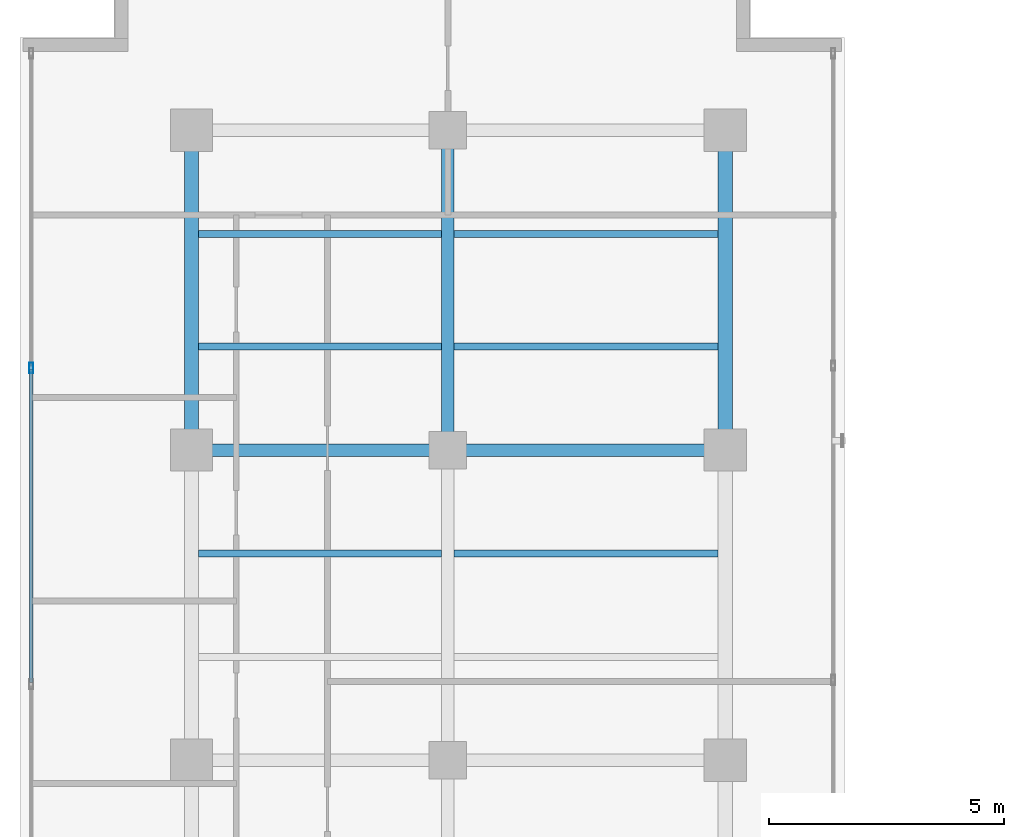
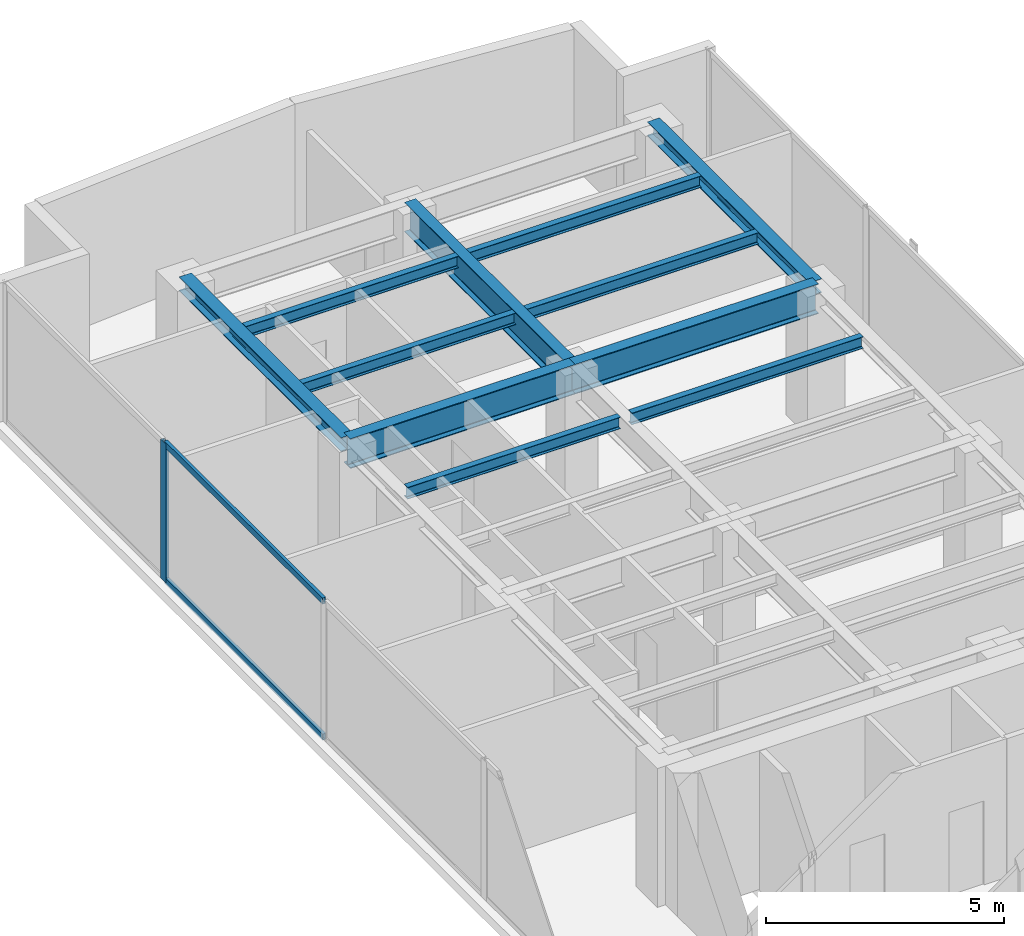
# One storey, part 13 of 24: 11 beams, 3 members, 1 element without a shape of its own.
"""IFC4 building model written with IfcOpenShell, lengths in metres."""

from ifc_helpers import new_model, si_unit, direction, frame, origin, origin_with_axes, origin_2d, place, context, subcontext, project, spatial, hollow_rectangle, i_section, extrude, source, transform, mapped, material, layer, layer_set, material_profile, profile_set, type_object, element, aggregate, save


model = new_model("IFC4")

# Units and contexts
model_context = context("Model", 3, precision=1e-05, world=origin(), true_north=direction((0.0, 1.0)))
body_context = subcontext(model_context, "Body", "Model", "MODEL_VIEW")
ifc_project = project(units=[si_unit("LENGTHUNIT", "METRE"), si_unit("AREAUNIT", "SQUARE_METRE"), si_unit("VOLUMEUNIT", "CUBIC_METRE"), si_unit("PLANEANGLEUNIT", "RADIAN"), si_unit("MASSUNIT", "GRAM", prefix="KILO")], contexts=[model_context])

# Site, building, storey
site_placement = place(None, origin())
site = spatial("IfcSite", under=ifc_project, at=site_placement, CompositionType="ELEMENT")
building_placement = place(site_placement, origin())
building = spatial("IfcBuilding", under=site, at=building_placement, Name="Kolvaren Waterfront Exchange", CompositionType="ELEMENT")
storey_placement = place(building_placement, frame((0.0, 0.0, 285.60009765625)))
storey = spatial("IfcBuildingStorey", under=building, at=storey_placement, Name="L73", CompositionType="ELEMENT", Elevation=285.60009765625)

# Beams
ifc_material_1 = material(Name="Steel S355", Category="steel")
ifc_material_profile_1 = material_profile(ifc_material_1, i_section(OverallWidth=0.300048828125, OverallDepth=0.360107421875, WebThickness=0.012451171875, FlangeThickness=0.0224609375, FilletRadius=0.027099609375, at=origin_2d()), Name="HEB360")
ifc_profile_set_1 = profile_set([ifc_material_profile_1], Name="Steel S355")
beam_type_1 = type_object("IfcBeamType", Name="STR-BM-HEB360", PredefinedType="SPANDREL", material=ifc_profile_set_1)
for number, where, z_axis, x_axis, name in (
    (1, (7.449951171875, 37.800048828125, 3.3798828125), (0.0, 1.0, 0.0), (-1.0, 0.0, 0.0), "L73 north-arm edge beam 3"),
    (2, (18.800048828125, 37.800048828125, 3.3798828125), (0.0, 1.0, 0.0), (-1.0, 0.0, 0.0), "L73 north-arm edge beam 3"),
):
    element("IfcBeam", number, at=place(storey_placement, frame(where, z_axis=z_axis, x_axis=x_axis)), inside=storey, type_object=beam_type_1, Name=name, PredefinedType="SPANDREL", context=body_context, shape_type="SweptSolid", body=[
        extrude(i_section(OverallWidth=0.300048828125, OverallDepth=0.360107421875, WebThickness=0.012451171875, FlangeThickness=0.0224609375, FilletRadius=0.027099609375, at=origin_2d()), origin(), (0.0, 0.0, 1.0), 6.800048828125),
    ])
ifc_material_profile_2 = material_profile(ifc_material_1, i_section(OverallWidth=0.14990234375, OverallDepth=0.300048828125, WebThickness=0.007080078125, FlangeThickness=0.0107421875, FilletRadius=0.014892578125, at=origin_2d()), Name="IPE300")
ifc_profile_set_2 = profile_set([ifc_material_profile_2], Name="Steel S355")
beam_type_2 = type_object("IfcBeamType", Name="STR-BM-IPE300", PredefinedType="JOIST", material=ifc_profile_set_2)
beam_1_placement = place(storey_placement, frame((7.60205078125, 35.60009765625, 3.409912109375), z_axis=(1.0, 0.0, 0.0), x_axis=(0.0, 1.0, 0.0)))
element("IfcBeam", 3, at=beam_1_placement, inside=storey, type_object=beam_type_2, Name="L73 north-arm composite joist 4A", PredefinedType="JOIST", context=body_context, shape_type="SweptSolid", body=[
    extrude(i_section(OverallWidth=0.14990234375, OverallDepth=0.300048828125, WebThickness=0.007080078125, FlangeThickness=0.0107421875, FilletRadius=0.014892578125, at=origin_2d()), origin(), (0.0, 0.0, 1.0), 5.162353515625),
])
beam_2_placement = place(storey_placement, frame((13.035400390625, 35.60009765625, 3.409912109375), z_axis=(1.0, 0.0, 0.0), x_axis=(0.0, 1.0, 0.0)))
element("IfcBeam", 4, at=beam_2_placement, inside=storey, type_object=beam_type_2, Name="L73 north-arm composite joist 4B", PredefinedType="JOIST", context=body_context, shape_type="SweptSolid", body=[
    extrude(i_section(OverallWidth=0.14990234375, OverallDepth=0.300048828125, WebThickness=0.007080078125, FlangeThickness=0.0107421875, FilletRadius=0.014892578125, at=origin_2d()), origin(), (0.0, 0.0, 1.0), 5.612548828125),
])
beam_3_placement = place(storey_placement, frame((7.60205078125, 40.0, 3.409912109375), z_axis=(1.0, 0.0, 0.0), x_axis=(0.0, 1.0, 0.0)))
element("IfcBeam", 5, at=beam_3_placement, inside=storey, type_object=beam_type_2, Name="L73 north-arm composite joist 5A", PredefinedType="JOIST", context=body_context, shape_type="SweptSolid", body=[
    extrude(i_section(OverallWidth=0.14990234375, OverallDepth=0.300048828125, WebThickness=0.007080078125, FlangeThickness=0.0107421875, FilletRadius=0.014892578125, at=origin_2d()), origin(), (0.0, 0.0, 1.0), 5.162353515625),
])
beam_4_placement = place(storey_placement, frame((13.035400390625, 40.0, 3.409912109375), z_axis=(1.0, 0.0, 0.0), x_axis=(0.0, 1.0, 0.0)))
element("IfcBeam", 6, at=beam_4_placement, inside=storey, type_object=beam_type_2, Name="L73 north-arm composite joist 5B", PredefinedType="JOIST", context=body_context, shape_type="SweptSolid", body=[
    extrude(i_section(OverallWidth=0.14990234375, OverallDepth=0.300048828125, WebThickness=0.007080078125, FlangeThickness=0.0107421875, FilletRadius=0.014892578125, at=origin_2d()), origin(), (0.0, 0.0, 1.0), 5.612548828125),
])
beam_5_placement = place(storey_placement, frame((7.60205078125, 42.39990234375, 3.409912109375), z_axis=(1.0, 0.0, 0.0), x_axis=(0.0, 1.0, 0.0)))
element("IfcBeam", 7, at=beam_5_placement, inside=storey, type_object=beam_type_2, Name="L73 north-arm composite joist 6A", PredefinedType="JOIST", context=body_context, shape_type="SweptSolid", body=[
    extrude(i_section(OverallWidth=0.14990234375, OverallDepth=0.300048828125, WebThickness=0.007080078125, FlangeThickness=0.0107421875, FilletRadius=0.014892578125, at=origin_2d()), origin(), (0.0, 0.0, 1.0), 5.162353515625),
])
beam_6_placement = place(storey_placement, frame((13.035400390625, 42.39990234375, 3.409912109375), z_axis=(1.0, 0.0, 0.0), x_axis=(0.0, 1.0, 0.0)))
element("IfcBeam", 8, at=beam_6_placement, inside=storey, type_object=beam_type_2, Name="L73 north-arm composite joist 6B", PredefinedType="JOIST", context=body_context, shape_type="SweptSolid", body=[
    extrude(i_section(OverallWidth=0.14990234375, OverallDepth=0.300048828125, WebThickness=0.007080078125, FlangeThickness=0.0107421875, FilletRadius=0.014892578125, at=origin_2d()), origin(), (0.0, 0.0, 1.0), 5.612548828125),
])
ifc_material_profile_3 = material_profile(ifc_material_1, i_section(OverallWidth=0.26708984375, OverallDepth=0.761962890625, WebThickness=0.014404296875, FlangeThickness=0.021484375, FilletRadius=0.01708984375, at=origin_2d()), Name="IPE750x173")
ifc_profile_set_3 = profile_set([ifc_material_profile_3], Name="Steel S355")
beam_type_3 = type_object("IfcBeamType", Name="STR-BM-IPE750", PredefinedType="BEAM", material=ifc_profile_set_3)
beam_7_placement = place(storey_placement, frame((7.449951171875, 37.800048828125, 3.178955078125), z_axis=(1.0, 0.0, 0.0), x_axis=(0.0, 1.0, 0.0)))
element("IfcBeam", 9, at=beam_7_placement, inside=storey, type_object=beam_type_3, Name="L73 north-arm girder 3A", PredefinedType="BEAM", context=body_context, shape_type="SweptSolid", body=[
    extrude(i_section(OverallWidth=0.26708984375, OverallDepth=0.761962890625, WebThickness=0.014404296875, FlangeThickness=0.021484375, FilletRadius=0.01708984375, at=origin_2d()), origin(), (0.0, 0.0, 1.0), 5.449951171875),
])
beam_8_placement = place(storey_placement, frame((12.89990234375, 37.800048828125, 3.178955078125), z_axis=(1.0, 0.0, 0.0), x_axis=(0.0, 1.0, 0.0)))
element("IfcBeam", 10, at=beam_8_placement, inside=storey, type_object=beam_type_3, Name="L73 north-arm girder 3B", PredefinedType="BEAM", context=body_context, shape_type="SweptSolid", body=[
    extrude(i_section(OverallWidth=0.26708984375, OverallDepth=0.761962890625, WebThickness=0.014404296875, FlangeThickness=0.021484375, FilletRadius=0.01708984375, at=origin_2d()), origin(), (0.0, 0.0, 1.0), 5.900146484375),
])
beam_9_placement = place(storey_placement, frame((12.89990234375, 37.800048828125, 3.178955078125), z_axis=(0.0, 1.0, 0.0), x_axis=(-1.0, 0.0, 0.0)))
element("IfcBeam", 11, at=beam_9_placement, inside=storey, type_object=beam_type_3, Name="L73 north-arm edge beam 3", PredefinedType="BEAM", context=body_context, shape_type="SweptSolid", body=[
    extrude(i_section(OverallWidth=0.26708984375, OverallDepth=0.761962890625, WebThickness=0.014404296875, FlangeThickness=0.021484375, FilletRadius=0.01708984375, at=origin_2d()), origin(), (0.0, 0.0, 1.0), 6.800048828125),
])

# Curtain wall, members
ifc_material_2 = material(Name="Anodised aluminium 6063-T6", Category="aluminium")
ifc_layer = layer(ifc_material_2, 0.219970703125, Name="Anodised aluminium 6063-T6")
ifc_layer_set = layer_set([ifc_layer], Name="Anodised aluminium 6063-T6")
curtain_wall_type = type_object("IfcCurtainWallType", Name="ARC-CW-SYS2", PredefinedType="USERDEFINED", material=ifc_layer_set)
curtain_wall_placement = place(storey_placement, origin())
curtain_wall = element("IfcCurtainWall", 12, at=curtain_wall_placement, inside=storey, type_object=curtain_wall_type, Name="L73 stick curtain wall CW2 (CW-L73-W)", ObjectType="STICK CURTAIN WALL", PredefinedType="USERDEFINED")
ifc_material_profile_4 = material_profile(ifc_material_2, hollow_rectangle(XDim=0.080078125, YDim=0.219970703125, WallThickness=0.0048828125, at=origin_2d()), Name="ALU-MUL-220x80x5")
ifc_profile_set_4 = profile_set([ifc_material_profile_4], Name="Anodised aluminium 6063-T6")
member_type_1 = type_object("IfcMemberType", Name="ARC-CWM-220", PredefinedType="MULLION", material=ifc_profile_set_4)
shared_shape_1 = source(origin_with_axes(), body_context, "Body", "SweptSolid", [
    extrude(hollow_rectangle(XDim=0.080078125, YDim=0.219970703125, WallThickness=0.0048828125, at=origin_2d()), origin(), (0.0, 0.0, 1.0), 3.559814453125),
])
member_1_placement = place(storey_placement, frame((4.0400390625, 39.549072265625, 0.0), z_axis=(0.0, 0.0, 1.0), x_axis=(-1.0, 0.0, 0.0)))
member_1 = element("IfcMember", 13, at=member_1_placement, type_object=member_type_1, Name="CW2 mullion 6", PredefinedType="MULLION", context=body_context, shape_type="MappedRepresentation", body=[
    mapped(shared_shape_1, transform((0.0, 0.0, 0.0), x_axis=(1.0, 0.0, 0.0), y_axis=(0.0, 1.0, 0.0), z_axis=(0.0, 0.0, 1.0), scale=1.0)),
])
ifc_material_profile_5 = material_profile(ifc_material_2, hollow_rectangle(XDim=0.074951171875, YDim=0.159912109375, WallThickness=0.00439453125, at=origin_2d()), Name="ALU-TRN-160x75x4.5")
ifc_profile_set_5 = profile_set([ifc_material_profile_5], Name="Anodised aluminium 6063-T6")
member_type_2 = type_object("IfcMemberType", Name="ARC-CWT-160", PredefinedType="USERDEFINED", material=ifc_profile_set_5)
shared_shape_2 = source(origin_with_axes(), body_context, "Body", "SweptSolid", [
    extrude(hollow_rectangle(XDim=0.074951171875, YDim=0.159912109375, WallThickness=0.00439453125, at=origin_2d()), origin(), (0.0, 0.0, 1.0), 6.649658203125),
])
member_2_placement = place(storey_placement, frame((4.0400390625, 32.859375, 0.037353515625), z_axis=(0.0, 1.0, 0.0), x_axis=(-1.0, 0.0, 0.0)))
member_2 = element("IfcMember", 14, at=member_2_placement, type_object=member_type_2, Name="CW2 transom 5.1", ObjectType="TRANSOM", PredefinedType="USERDEFINED", context=body_context, shape_type="MappedRepresentation", body=[
    mapped(shared_shape_2, transform((0.0, 0.0, 0.0), x_axis=(1.0, 0.0, 0.0), y_axis=(0.0, 1.0, 0.0), z_axis=(0.0, 0.0, 1.0), scale=1.0)),
])
member_3_placement = place(storey_placement, frame((4.0400390625, 32.859375, 3.5224609375), z_axis=(0.0, 1.0, 0.0), x_axis=(-1.0, 0.0, 0.0)))
member_3 = element("IfcMember", 15, at=member_3_placement, type_object=member_type_2, Name="CW2 transom 5.2", ObjectType="TRANSOM", PredefinedType="USERDEFINED", context=body_context, shape_type="MappedRepresentation", body=[
    mapped(shared_shape_2, transform((0.0, 0.0, 0.0), x_axis=(1.0, 0.0, 0.0), y_axis=(0.0, 1.0, 0.0), z_axis=(0.0, 0.0, 1.0), scale=1.0)),
])
aggregate(curtain_wall, [member_1, member_2, member_3])

save(model, "model.ifc")
